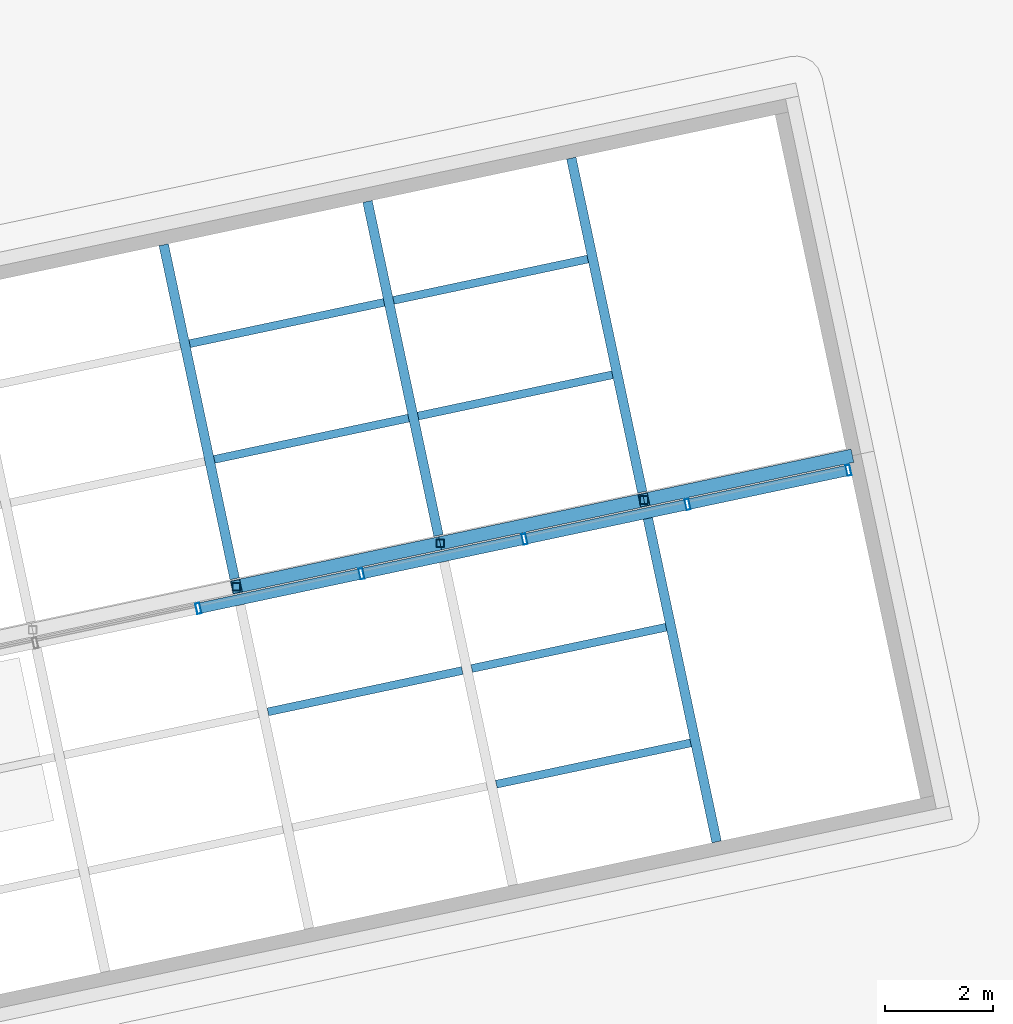
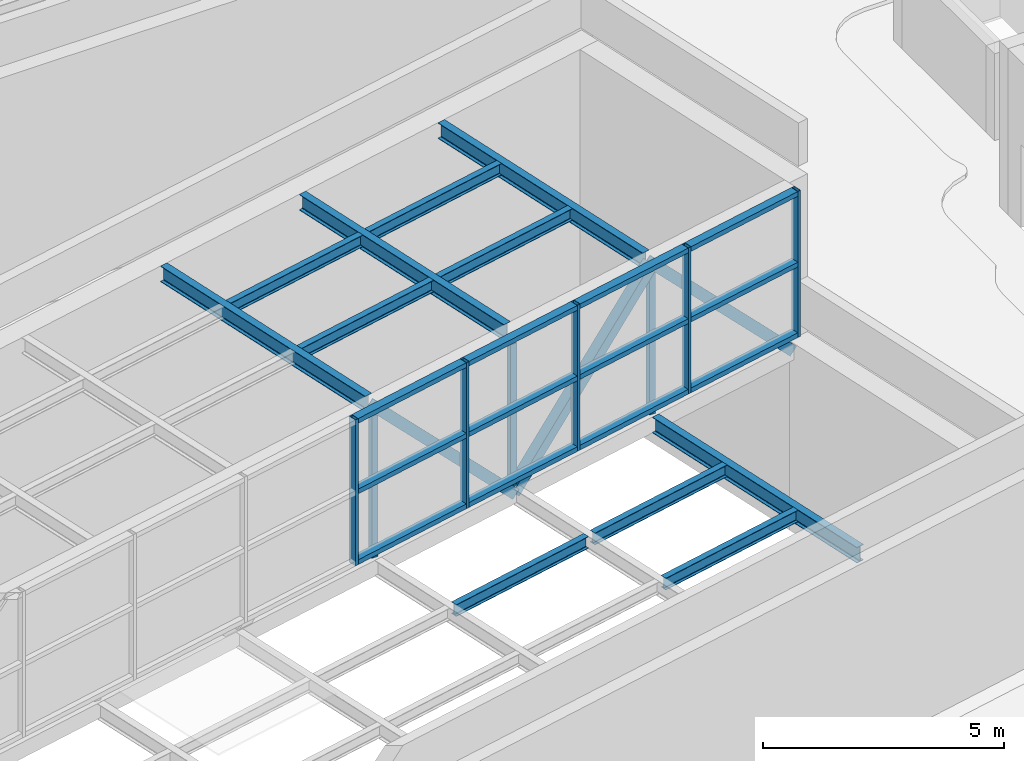
# One storey, part 49 of 72: 30 members, 4 beams, 1 element without a shape of its own.
"""IFC4 building model written with IfcOpenShell, lengths in metres."""

from ifc_helpers import new_model, si_unit, direction, frame, origin, origin_2d, place, context, subcontext, project, spatial, hollow_rectangle, i_section, extrude, material, layer, layer_set, material_profile, profile_set, type_object, element, aggregate, save


model = new_model("IFC4")

# Units and contexts
model_context = context("Model", 3, precision=1e-05, world=origin(), true_north=direction((0.0, 1.0)))
body_context = subcontext(model_context, "Body", "Model", "MODEL_VIEW")
ifc_project = project(units=[si_unit("LENGTHUNIT", "METRE"), si_unit("AREAUNIT", "SQUARE_METRE"), si_unit("VOLUMEUNIT", "CUBIC_METRE"), si_unit("PLANEANGLEUNIT", "RADIAN"), si_unit("MASSUNIT", "GRAM", prefix="KILO")], contexts=[model_context])

# Site, building, storey
site_placement = place(None, origin())
site = spatial("IfcSite", under=ifc_project, at=site_placement, CompositionType="ELEMENT")
building_placement = place(site_placement, origin())
building = spatial("IfcBuilding", under=site, at=building_placement, Name="Nzadi Deep Aquarium and Research Tower", CompositionType="ELEMENT")
storey_placement = place(building_placement, frame((0.0, 0.0, 31.89990234375)))
storey = spatial("IfcBuildingStorey", under=building, at=storey_placement, Name="L05", CompositionType="ELEMENT", Elevation=31.89990234375)

# Members
ifc_material_1 = material(Name="Steel S355", Category="steel")
ifc_material_profile_1 = material_profile(ifc_material_1, i_section(OverallWidth=0.14990234375, OverallDepth=0.300048828125, WebThickness=0.007080078125, FlangeThickness=0.0107421875, FilletRadius=0.014892578125, at=origin_2d()))
ifc_profile_set_1 = profile_set([ifc_material_profile_1], Name="Steel S355")
member_type_1 = type_object("IfcMemberType", Name="IPE 300", PredefinedType="PURLIN", material=ifc_profile_set_1)
for number, where, z_axis, x_axis, name in (
    (1, (37.425048828125, 110.33056640625, 4.650146484375), (0.978143399265, 0.207931456193, 0.0), (-0.207931456193, 0.978143399265, 0.0), "MB-BL-ROOF-SPU1-6"),
    (2, (33.17724609375, 111.6767578125, 4.650146484375), (0.978143399265, 0.207931456193, 0.0), (-0.207931456193, 0.978143399265, 0.0), "MB-BL-ROOF-SPU2-5"),
    (3, (36.9677734375, 112.482421875, 4.650146484375), (0.978143399265, 0.207931456193, 0.0), (-0.207931456193, 0.978143399265, 0.0), "MB-BL-ROOF-SPU2-6"),
    (4, (32.179443359375, 116.371826171875, 8.650146484375), (0.978143399265, 0.207931456193, 0.0), (-0.207931456193, 0.978143399265, 0.0), "MB-BL-ROOF-NPU1-5"),
    (5, (35.9697265625, 117.177490234375, 8.650146484375), (0.978143399265, 0.207931456193, 0.0), (-0.207931456193, 0.978143399265, 0.0), "MB-BL-ROOF-NPU1-6"),
    (6, (31.721923828125, 118.52392578125, 8.650146484375), (0.978156835764, 0.207868238673, 0.0), (-0.207868238673, 0.978156835764, 0.0), "MB-BL-ROOF-NPU2-5"),
    (7, (35.51220703125, 119.32958984375, 8.650146484375), (0.978156835764, 0.207868238673, 0.0), (-0.207868238673, 0.978156835764, 0.0), "MB-BL-ROOF-NPU2-6"),
):
    element("IfcMember", number, at=place(storey_placement, frame(where, z_axis=z_axis, x_axis=x_axis)), inside=storey, type_object=member_type_1, Name=name, PredefinedType="PURLIN", context=body_context, shape_type="SweptSolid", body=[
        extrude(i_section(OverallWidth=0.14990234375, OverallDepth=0.300048828125, WebThickness=0.007080078125, FlangeThickness=0.0107421875, FilletRadius=0.014892578125, at=origin_2d()), origin(), (0.0, 0.0, 1.0), 3.695068359375),
    ])

# Beams
ifc_material_2 = material(Name="Steel S355", Category="steel")
ifc_material_profile_2 = material_profile(ifc_material_2, i_section(OverallWidth=0.179931640625, OverallDepth=0.39990234375, WebThickness=0.008544921875, FlangeThickness=0.013427734375, FilletRadius=0.02099609375, at=origin_2d()))
ifc_profile_set_2 = profile_set([ifc_material_profile_2], Name="Steel S355")
beam_type = type_object("IfcBeamType", Name="IPE 400", PredefinedType="BEAM", material=ifc_profile_set_2)
for number, where, z_axis, x_axis, name in (
    (8, (32.55908203125, 114.15234375, 8.60009765625), (-0.207887725283, 0.978152694459, 0.0), (-0.978152694459, -0.207887725283, 0.0), "B-BL-ROOF-H5"),
    (9, (36.349365234375, 114.9580078125, 8.60009765625), (-0.207887725283, 0.978152694459, 0.0), (-0.978152694459, -0.207887725283, 0.0), "B-BL-ROOF-H6"),
    (10, (41.5224609375, 109.259033203125, 4.60009765625), (-0.207924511115, 0.978144875608, 0.0), (-0.978144875608, -0.207924511115, 0.0), "B-BL-ROOF-G7"),
    (11, (40.139892578125, 115.763671875, 8.60009765625), (-0.207924511115, 0.978144875608, 0.0), (-0.978144875608, -0.207924511115, 0.0), "B-BL-ROOF-H7"),
):
    element("IfcBeam", number, at=place(storey_placement, frame(where, z_axis=z_axis, x_axis=x_axis)), inside=storey, type_object=beam_type, Name=name, PredefinedType="BEAM", context=body_context, shape_type="SweptSolid", body=[
        extrude(i_section(OverallWidth=0.179931640625, OverallDepth=0.39990234375, WebThickness=0.008544921875, FlangeThickness=0.013427734375, FilletRadius=0.02099609375, at=origin_2d()), origin(), (0.0, 0.0, 1.0), 6.349853515625),
    ])

# Curtain wall, members
ifc_material_3 = material(Name="Aluminium glazing frame tall", Category="aluminium")
ifc_layer = layer(ifc_material_3, 0.199951171875)
ifc_layer_set = layer_set([ifc_layer], Name="Aluminium glazing frame tall")
curtain_wall_type = type_object("IfcCurtainWallType", Name="Curtain wall Clerestory Tall 200", PredefinedType="NOTDEFINED", material=ifc_layer_set)
curtain_wall_placement = place(storey_placement, origin())
curtain_wall = element("IfcCurtainWall", 12, at=curtain_wall_placement, inside=storey, type_object=curtain_wall_type, Name="Reef blade clerestory glazing", PredefinedType="NOTDEFINED")
ifc_material_4 = material(Name="Aluminium glazing frame tall", Category="aluminium")
ifc_material_profile_3 = material_profile(ifc_material_4, hollow_rectangle(XDim=0.199951171875, YDim=0.080078125, WallThickness=0.0048828125, at=origin_2d()))
ifc_profile_set_3 = profile_set([ifc_material_profile_3], Name="Aluminium glazing frame tall")
member_type_2 = type_object("IfcMemberType", Name="Mullion 80x200 Clerestory Tall", PredefinedType="MULLION", material=ifc_profile_set_3)
member_1_placement = place(storey_placement, frame((31.88427734375, 113.60009765625, 5.10009765625), z_axis=(0.0, 0.0, 1.0), x_axis=(-0.207911690818, 0.978147600734, 0.0)))
member_1 = element("IfcMember", 13, at=member_1_placement, type_object=member_type_2, Name="CW258 mullion 7", PredefinedType="MULLION", context=body_context, shape_type="SweptSolid", body=[
    extrude(hollow_rectangle(XDim=0.199951171875, YDim=0.080078125, WallThickness=0.0048828125, at=origin_2d()), origin(), (0.0, 0.0, 1.0), 3.699951171875),
])
member_2_placement = place(storey_placement, frame((34.91650390625, 114.24462890625, 5.10009765625), z_axis=(0.0, 0.0, 1.0), x_axis=(-0.207911690818, 0.978147600734, 0.0)))
member_2 = element("IfcMember", 14, at=member_2_placement, type_object=member_type_2, Name="CW258 mullion 8", PredefinedType="MULLION", context=body_context, shape_type="SweptSolid", body=[
    extrude(hollow_rectangle(XDim=0.199951171875, YDim=0.080078125, WallThickness=0.0048828125, at=origin_2d()), origin(), (0.0, 0.0, 1.0), 3.699951171875),
])
member_3_placement = place(storey_placement, frame((37.94873046875, 114.88916015625, 5.10009765625), z_axis=(0.0, 0.0, 1.0), x_axis=(-0.207911690818, 0.978147600734, 0.0)))
member_3 = element("IfcMember", 15, at=member_3_placement, type_object=member_type_2, Name="CW258 mullion 9", PredefinedType="MULLION", context=body_context, shape_type="SweptSolid", body=[
    extrude(hollow_rectangle(XDim=0.199951171875, YDim=0.080078125, WallThickness=0.0048828125, at=origin_2d()), origin(), (0.0, 0.0, 1.0), 3.699951171875),
])
member_4_placement = place(storey_placement, frame((40.98095703125, 115.533447265625, 5.10009765625), z_axis=(0.0, 0.0, 1.0), x_axis=(-0.207911690818, 0.978147600734, 0.0)))
member_4 = element("IfcMember", 16, at=member_4_placement, type_object=member_type_2, Name="CW258 mullion 10", PredefinedType="MULLION", context=body_context, shape_type="SweptSolid", body=[
    extrude(hollow_rectangle(XDim=0.199951171875, YDim=0.080078125, WallThickness=0.0048828125, at=origin_2d()), origin(), (0.0, 0.0, 1.0), 3.699951171875),
])
member_5_placement = place(storey_placement, frame((43.97412109375, 116.169677734375, 5.10009765625), z_axis=(0.0, 0.0, 1.0), x_axis=(-0.207911690818, 0.978147600734, 0.0)))
member_5 = element("IfcMember", 17, at=member_5_placement, type_object=member_type_2, Name="CW258 mullion 11", PredefinedType="MULLION", context=body_context, shape_type="SweptSolid", body=[
    extrude(hollow_rectangle(XDim=0.199951171875, YDim=0.080078125, WallThickness=0.0048828125, at=origin_2d()), origin(), (0.0, 0.0, 1.0), 3.699951171875),
])

# Members
ifc_material_5 = material(Name="Steel S355", Category="steel")
ifc_material_profile_4 = material_profile(ifc_material_5, hollow_rectangle(XDim=0.14990234375, YDim=0.14990234375, WallThickness=0.008056640625, at=origin_2d()))
ifc_profile_set_4 = profile_set([ifc_material_profile_4], Name="Steel S355")
member_type_3 = type_object("IfcMemberType", Name="RHS 150x150x8 post", PredefinedType="POST", material=ifc_profile_set_4)
for number, where, z_axis, x_axis, name in (
    (18, (32.59033203125, 114.005615234375, 4.800048828125), (0.0, 0.0, 1.0), (1.0, 0.0, 0.0), "MB-BL-STEP-V5"),
    (19, (36.380615234375, 114.811279296875, 4.800048828125), (0.0, 0.0, 1.0), (1.0, 0.0, 0.0), "MB-BL-STEP-V6"),
    (20, (40.1708984375, 115.616943359375, 4.800048828125), (0.0, 0.0, 1.0), (1.0, 0.0, 0.0), "MB-BL-STEP-V7"),
):
    element("IfcMember", number, at=place(storey_placement, frame(where, z_axis=z_axis, x_axis=x_axis)), inside=storey, type_object=member_type_3, Name=name, PredefinedType="POST", context=body_context, shape_type="SweptSolid", body=[
        extrude(hollow_rectangle(XDim=0.14990234375, YDim=0.14990234375, WallThickness=0.008056640625, at=origin_2d()), origin(), (0.0, 0.0, 1.0), 3.60009765625),
    ])
ifc_material_6 = material(Name="Steel S355", Category="steel")
ifc_material_profile_5 = material_profile(ifc_material_6, hollow_rectangle(XDim=0.25, YDim=0.25, WallThickness=0.010009765625, at=origin_2d()))
ifc_profile_set_5 = profile_set([ifc_material_profile_5], Name="Steel S355")
member_type_4 = type_object("IfcMemberType", Name="RHS 250x250x10 brace", PredefinedType="BRACE", material=ifc_profile_set_5)
for number, where, z_axis, x_axis, name in (
    (21, (32.59033203125, 114.005615234375, 8.60009765625), (0.680586575277, 0.14466574547, -0.718243507204), (-0.207915270313, 0.978146839882, 0.0), "MB-BL-STEP-D6"),
    (22, (36.380615234375, 114.811279296875, 4.60009765625), (0.680586575277, 0.14466574547, 0.718243507204), (-0.207915270313, 0.978146839882, 0.0), "MB-BL-STEP-D7"),
    (23, (40.1708984375, 115.616943359375, 8.60009765625), (0.680586575277, 0.14466574547, -0.718243507204), (-0.207915270313, 0.978146839882, 0.0), "MB-BL-STEP-D8"),
):
    element("IfcMember", number, at=place(storey_placement, frame(where, z_axis=z_axis, x_axis=x_axis)), inside=storey, type_object=member_type_4, Name=name, PredefinedType="BRACE", context=body_context, shape_type="SweptSolid", body=[
        extrude(hollow_rectangle(XDim=0.25, YDim=0.25, WallThickness=0.010009765625, at=origin_2d()), origin(), (0.0, 0.0, 1.0), 5.569091796875),
    ])

# Member
ifc_material_7 = material(Name="Aluminium glazing frame tall", Category="aluminium")
ifc_material_profile_6 = material_profile(ifc_material_7, hollow_rectangle(XDim=0.199951171875, YDim=0.1201171875, WallThickness=0.0048828125, at=origin_2d()))
ifc_profile_set_6 = profile_set([ifc_material_profile_6], Name="Aluminium glazing frame tall")
member_type_5 = type_object("IfcMemberType", Name="Transom 120x200 Clerestory Tall", PredefinedType="MULLION", material=ifc_profile_set_6)
member_6_placement = place(storey_placement, frame((31.92333984375, 113.6083984375, 5.16015625), z_axis=(0.978162959797, 0.207839418978, 0.0), x_axis=(-0.207839418978, 0.978162959797, 0.0)))
member_6 = element("IfcMember", 24, at=member_6_placement, type_object=member_type_5, Name="CW258 transom 7.1", PredefinedType="MULLION", context=body_context, shape_type="SweptSolid", body=[
    extrude(hollow_rectangle(XDim=0.199951171875, YDim=0.1201171875, WallThickness=0.0048828125, at=origin_2d()), origin(), (0.0, 0.0, 1.0), 3.02001953125),
])

member_7_placement = place(storey_placement, frame((31.92333984375, 113.6083984375, 6.9501953125), z_axis=(0.978162959797, 0.207839418978, 0.0), x_axis=(-0.207839418978, 0.978162959797, 0.0)))
member_7 = element("IfcMember", 25, at=member_7_placement, type_object=member_type_5, Name="CW258 transom 7.2", PredefinedType="MULLION", context=body_context, shape_type="SweptSolid", body=[
    extrude(hollow_rectangle(XDim=0.199951171875, YDim=0.1201171875, WallThickness=0.0048828125, at=origin_2d()), origin(), (0.0, 0.0, 1.0), 3.02001953125),
])

member_8_placement = place(storey_placement, frame((31.92333984375, 113.6083984375, 8.739990234375), z_axis=(0.978162959797, 0.207839418978, 0.0), x_axis=(-0.207839418978, 0.978162959797, 0.0)))
member_8 = element("IfcMember", 26, at=member_8_placement, type_object=member_type_5, Name="CW258 transom 7.3", PredefinedType="MULLION", context=body_context, shape_type="SweptSolid", body=[
    extrude(hollow_rectangle(XDim=0.199951171875, YDim=0.1201171875, WallThickness=0.0048828125, at=origin_2d()), origin(), (0.0, 0.0, 1.0), 3.02001953125),
])

member_9_placement = place(storey_placement, frame((34.95556640625, 114.2529296875, 5.16015625), z_axis=(0.978162959797, 0.207839418978, 0.0), x_axis=(-0.207839418978, 0.978162959797, 0.0)))
member_9 = element("IfcMember", 27, at=member_9_placement, type_object=member_type_5, Name="CW258 transom 8.1", PredefinedType="MULLION", context=body_context, shape_type="SweptSolid", body=[
    extrude(hollow_rectangle(XDim=0.199951171875, YDim=0.1201171875, WallThickness=0.0048828125, at=origin_2d()), origin(), (0.0, 0.0, 1.0), 3.02001953125),
])

member_10_placement = place(storey_placement, frame((34.95556640625, 114.2529296875, 6.9501953125), z_axis=(0.978162959797, 0.207839418978, 0.0), x_axis=(-0.207839418978, 0.978162959797, 0.0)))
member_10 = element("IfcMember", 28, at=member_10_placement, type_object=member_type_5, Name="CW258 transom 8.2", PredefinedType="MULLION", context=body_context, shape_type="SweptSolid", body=[
    extrude(hollow_rectangle(XDim=0.199951171875, YDim=0.1201171875, WallThickness=0.0048828125, at=origin_2d()), origin(), (0.0, 0.0, 1.0), 3.02001953125),
])

member_11_placement = place(storey_placement, frame((34.95556640625, 114.2529296875, 8.739990234375), z_axis=(0.978162959797, 0.207839418978, 0.0), x_axis=(-0.207839418978, 0.978162959797, 0.0)))
member_11 = element("IfcMember", 29, at=member_11_placement, type_object=member_type_5, Name="CW258 transom 8.3", PredefinedType="MULLION", context=body_context, shape_type="SweptSolid", body=[
    extrude(hollow_rectangle(XDim=0.199951171875, YDim=0.1201171875, WallThickness=0.0048828125, at=origin_2d()), origin(), (0.0, 0.0, 1.0), 3.02001953125),
])

member_12_placement = place(storey_placement, frame((37.98779296875, 114.8974609375, 5.16015625), z_axis=(0.978162959797, 0.207839418978, 0.0), x_axis=(-0.207839418978, 0.978162959797, 0.0)))
member_12 = element("IfcMember", 30, at=member_12_placement, type_object=member_type_5, Name="CW258 transom 9.1", PredefinedType="MULLION", context=body_context, shape_type="SweptSolid", body=[
    extrude(hollow_rectangle(XDim=0.199951171875, YDim=0.1201171875, WallThickness=0.0048828125, at=origin_2d()), origin(), (0.0, 0.0, 1.0), 3.02001953125),
])

member_13_placement = place(storey_placement, frame((37.98779296875, 114.8974609375, 6.9501953125), z_axis=(0.978162959797, 0.207839418978, 0.0), x_axis=(-0.207839418978, 0.978162959797, 0.0)))
member_13 = element("IfcMember", 31, at=member_13_placement, type_object=member_type_5, Name="CW258 transom 9.2", PredefinedType="MULLION", context=body_context, shape_type="SweptSolid", body=[
    extrude(hollow_rectangle(XDim=0.199951171875, YDim=0.1201171875, WallThickness=0.0048828125, at=origin_2d()), origin(), (0.0, 0.0, 1.0), 3.02001953125),
])

member_14_placement = place(storey_placement, frame((37.98779296875, 114.8974609375, 8.739990234375), z_axis=(0.978162959797, 0.207839418978, 0.0), x_axis=(-0.207839418978, 0.978162959797, 0.0)))
member_14 = element("IfcMember", 32, at=member_14_placement, type_object=member_type_5, Name="CW258 transom 9.3", PredefinedType="MULLION", context=body_context, shape_type="SweptSolid", body=[
    extrude(hollow_rectangle(XDim=0.199951171875, YDim=0.1201171875, WallThickness=0.0048828125, at=origin_2d()), origin(), (0.0, 0.0, 1.0), 3.02001953125),
])

member_15_placement = place(storey_placement, frame((41.02001953125, 115.5419921875, 5.16015625), z_axis=(0.978163014855, 0.207839159857, 0.0), x_axis=(-0.207839159857, 0.978163014855, 0.0)))
member_15 = element("IfcMember", 33, at=member_15_placement, type_object=member_type_5, Name="CW258 transom 10.1", PredefinedType="MULLION", context=body_context, shape_type="SweptSolid", body=[
    extrude(hollow_rectangle(XDim=0.199951171875, YDim=0.1201171875, WallThickness=0.0048828125, at=origin_2d()), origin(), (0.0, 0.0, 1.0), 2.980224609375),
])

member_16_placement = place(storey_placement, frame((41.02001953125, 115.5419921875, 6.9501953125), z_axis=(0.978163014855, 0.207839159857, 0.0), x_axis=(-0.207839159857, 0.978163014855, 0.0)))
member_16 = element("IfcMember", 34, at=member_16_placement, type_object=member_type_5, Name="CW258 transom 10.2", PredefinedType="MULLION", context=body_context, shape_type="SweptSolid", body=[
    extrude(hollow_rectangle(XDim=0.199951171875, YDim=0.1201171875, WallThickness=0.0048828125, at=origin_2d()), origin(), (0.0, 0.0, 1.0), 2.980224609375),
])

member_17_placement = place(storey_placement, frame((41.02001953125, 115.5419921875, 8.739990234375), z_axis=(0.978163014855, 0.207839159857, 0.0), x_axis=(-0.207839159857, 0.978163014855, 0.0)))
member_17 = element("IfcMember", 35, at=member_17_placement, type_object=member_type_5, Name="CW258 transom 10.3", PredefinedType="MULLION", context=body_context, shape_type="SweptSolid", body=[
    extrude(hollow_rectangle(XDim=0.199951171875, YDim=0.1201171875, WallThickness=0.0048828125, at=origin_2d()), origin(), (0.0, 0.0, 1.0), 2.980224609375),
])

aggregate(curtain_wall, [member_1, member_2, member_3, member_4, member_5, member_6, member_7, member_8, member_9, member_10, member_11, member_12, member_13, member_14, member_15, member_16, member_17])

save(model, "model.ifc")
